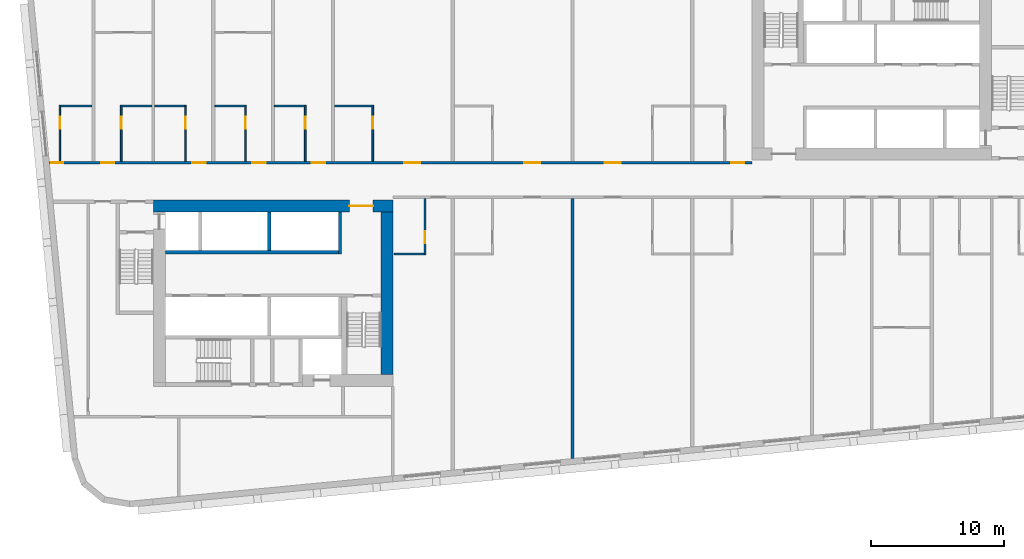
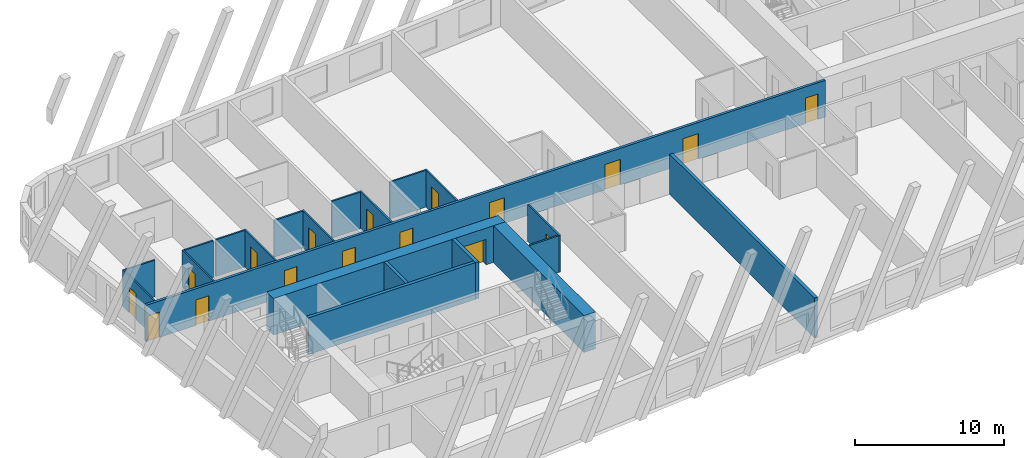
# One storey, part 3 of 13: 21 walls, 17 doors, 17 openings.
"""IFC4 building model written with IfcOpenShell, lengths in metres."""

import ifcopenshell
import ifcopenshell.guid

model = None  # the IFC model being written
_history = None  # IfcOwnerHistory: only IFC2X3 demands one
_inside = {}  # id of a spatial element -> (the spatial element, [elements in it])
_under = {}  # id of a project, library or spatial element -> (it, [spatial elements below it])
_declared = {}  # id of a project -> (the project, [libraries it declares])
_typed = {}  # id of a type object -> (the type object, [elements of that type])
_made_of = {}  # id of a material, layer set ... -> (it, [elements and type objects made of it])


def new_model(schema):
    """Start an empty IFC model of exactly this schema.

    Asked for "IFC4X3", IfcOpenShell would pick the latest addendum, in which some entities
    have other attributes; the version numbers below select the first issue.
    IFC2X3 requires an IfcOwnerHistory on every rooted entity: one is made here for all.
    """
    global model, _history
    if schema == "IFC4X3":
        model = ifcopenshell.file(schema_version=(4, 3, 0, 0))
    else:
        model = ifcopenshell.file(schema=schema)
    _inside.clear()
    _under.clear()
    _declared.clear()
    _typed.clear()
    _made_of.clear()
    _history = None
    if model.schema == "IFC2X3":
        org = make("IfcOrganization", Name="unknown")
        user = make(
            "IfcPersonAndOrganization",
            ThePerson=make("IfcPerson", FamilyName="unknown"),
            TheOrganization=org,
        )
        app = make(
            "IfcApplication",
            ApplicationDeveloper=org,
            Version="unknown",
            ApplicationFullName="unknown",
            ApplicationIdentifier="unknown",
        )
        _history = make(
            "IfcOwnerHistory",
            OwningUser=user,
            OwningApplication=app,
            ChangeAction="ADDED",
            CreationDate=0,
        )
    return model


def make(cls, **values):
    """One entity of the class cls with the attributes given. An attribute that is None is left unset."""
    return model.create_entity(
        cls, **{name: value for name, value in values.items() if value is not None}
    )


def rooted(cls, **values):
    """An entity with a GlobalId (a new one), such as an element, a storey or a relation."""
    return make(cls, GlobalId=ifcopenshell.guid.new(), OwnerHistory=_history, **values)


def si_unit(unit_type, name, prefix=None):
    """IfcSIUnit, for example si_unit("LENGTHUNIT", "METRE", prefix="MILLI")."""
    return make("IfcSIUnit", UnitType=unit_type, Prefix=prefix, Name=name)


def assignment(units):
    """IfcUnitAssignment: the units of a project."""
    return None if units is None else make("IfcUnitAssignment", Units=units)


def point(xyz):
    """IfcCartesianPoint."""
    return None if xyz is None else make("IfcCartesianPoint", Coordinates=xyz)


def direction(xyz):
    """IfcDirection."""
    return None if xyz is None else make("IfcDirection", DirectionRatios=xyz)


def frame(location, z_axis=None, x_axis=None):
    """IfcAxis2Placement3D, a coordinate frame: its origin and axes. An axis left out is left unset."""
    return make(
        "IfcAxis2Placement3D",
        Location=point(location),
        Axis=direction(z_axis),
        RefDirection=direction(x_axis),
    )


def frame_2d(location, x_axis=None):
    """IfcAxis2Placement2D, a coordinate frame in the plane: its origin and x axis."""
    return make(
        "IfcAxis2Placement2D", Location=point(location), RefDirection=direction(x_axis)
    )


def origin():
    """The frame at (0, 0, 0) with its axes left unset."""
    return frame((0.0, 0.0, 0.0))


def place(relative_to, where):
    """IfcLocalPlacement: puts the frame where relative to a parent placement (None: the world)."""
    return make(
        "IfcLocalPlacement", PlacementRelTo=relative_to, RelativePlacement=where
    )


def context(
    kind, dimensions, precision=None, world=None, true_north=None, identifier=None
):
    """IfcGeometricRepresentationContext, for example the 3D "Model" context."""
    return make(
        "IfcGeometricRepresentationContext",
        ContextIdentifier=identifier,
        ContextType=kind,
        CoordinateSpaceDimension=dimensions,
        Precision=precision,
        WorldCoordinateSystem=world,
        TrueNorth=true_north,
    )


def subcontext(parent, identifier, kind, view, scale=None):
    """IfcGeometricRepresentationSubContext, for example "Body" below "Model"."""
    return make(
        "IfcGeometricRepresentationSubContext",
        ContextIdentifier=identifier,
        ContextType=kind,
        ParentContext=parent,
        TargetScale=scale,
        TargetView=view,
    )


def project(units=None, contexts=None):
    """IfcProject with its units and contexts."""
    return rooted(
        "IfcProject",
        Name="project",
        RepresentationContexts=contexts,
        UnitsInContext=assignment(units),
    )


def spatial(cls, under=None, at=None, **own):
    """A site, building, storey or space (cls), placed at a placement, below another one or the project."""
    s = rooted(cls, ObjectPlacement=at, **own)
    if under is not None:
        _under.setdefault(under.id(), (under, []))[1].append(s)
    return s


def profile(cls, at=None, kind="AREA", **sizes):
    """A parametric profile (cls). Its sizes go by their IFC names, for example OverallWidth=200.0."""
    return make(cls, ProfileType=kind, Position=at, **sizes)


def rectangle(**sizes):
    """IfcRectangleProfileDef."""
    return profile("IfcRectangleProfileDef", **sizes)


def extrude(swept, where, along, depth):
    """IfcExtrudedAreaSolid: the profile swept, set in the frame where, extruded along a direction by depth."""
    return make(
        "IfcExtrudedAreaSolid",
        SweptArea=swept,
        Position=where,
        ExtrudedDirection=direction(along),
        Depth=depth,
    )


def shape(context_of_items, identifier, shape_type, items):
    """IfcShapeRepresentation: the items that make up one representation, for example the "Body"."""
    return make(
        "IfcShapeRepresentation",
        ContextOfItems=context_of_items,
        RepresentationIdentifier=identifier,
        RepresentationType=shape_type,
        Items=items,
    )


def material(Name=None, Category=None):
    """IfcMaterial."""
    return make("IfcMaterial", Name=Name, Category=Category)


def layer(
    of_material, thickness, ventilated=None, Name=None, Category=None, Priority=None
):
    """IfcMaterialLayer: one layer of a wall or slab, of a material (None: an air gap)."""
    return make(
        "IfcMaterialLayer",
        Material=of_material,
        LayerThickness=thickness,
        IsVentilated=ventilated,
        Name=Name,
        Category=Category,
        Priority=Priority,
    )


def layer_set(layers, Name=None):
    """IfcMaterialLayerSet."""
    return make("IfcMaterialLayerSet", MaterialLayers=layers, LayerSetName=Name)


def made_of(thing, what):
    """Note that an element or type object is made of a material, layer set ...; save() writes the relation."""
    if what is not None:
        _made_of.setdefault(what.id(), (what, []))[1].append(thing)
    return thing


def type_object(cls, material=None, **own):
    """A type object (cls), such as IfcWallType, which elements share."""
    return made_of(rooted(cls, **own), material)


def element(
    cls,
    number,
    at=None,
    inside=None,
    cuts=None,
    type_object=None,
    material=None,
    context=None,
    identifier="Body",
    shape_type=None,
    held_by="IfcProductDefinitionShape",
    body=None,
    shapes=None,
    **own,
):
    """One element of the class cls, such as IfcWall. Its Tag is "e" and its number.

    at: its placement. inside: the storey or other place that contains it. cuts: it is an
    opening in that element (IfcRelVoidsElement). A single representation is given by context,
    identifier, shape_type and body (its items); several are given by shapes. held_by: the class
    of the entity that holds the representations. save() writes the other relations.
    """
    e = rooted(cls, Tag="e%d" % number, ObjectPlacement=at, **own)
    if body is not None:
        shapes = [shape(context, identifier, shape_type, body)]
    if shapes is not None:
        e.Representation = make(held_by, Representations=shapes)
    if inside is not None:
        _inside.setdefault(inside.id(), (inside, []))[1].append(e)
    if cuts is not None:
        rooted(
            "IfcRelVoidsElement", RelatingBuildingElement=cuts, RelatedOpeningElement=e
        )
    if type_object is not None:
        _typed.setdefault(type_object.id(), (type_object, []))[1].append(e)
    return made_of(e, material)


def fill(opening, filler):
    """IfcRelFillsElement: the door or window that sits in an opening."""
    return rooted(
        "IfcRelFillsElement",
        RelatingOpeningElement=opening,
        RelatedBuildingElement=filler,
    )


def aggregate(whole, parts):
    """IfcRelAggregates: a whole, such as a stair, and the parts it consists of."""
    return rooted("IfcRelAggregates", RelatingObject=whole, RelatedObjects=parts)


def save(model, path):
    """Write the relations noted so far, then the file.

    IfcRelAggregates (storeys below a building ...), IfcRelContainedInSpatialStructure (elements
    in a storey), IfcRelDefinesByType, IfcRelAssociatesMaterial and IfcRelDeclares: one each for
    every whole, place, type object, material and project.
    """
    for whole, parts in _under.values():
        aggregate(whole, parts)
    for where, things in _inside.values():
        rooted(
            "IfcRelContainedInSpatialStructure",
            RelatedElements=things,
            RelatingStructure=where,
        )
    for kind, things in _typed.values():
        rooted("IfcRelDefinesByType", RelatedObjects=things, RelatingType=kind)
    for what, things in _made_of.values():
        rooted("IfcRelAssociatesMaterial", RelatedObjects=things, RelatingMaterial=what)
    for by, libraries in _declared.values():
        rooted("IfcRelDeclares", RelatingContext=by, RelatedDefinitions=libraries)
    model.write(path)


model = new_model("IFC4")

# Units and contexts
model_context = context("Model", 3, precision=1e-05, world=origin(), true_north=direction((0.0, 1.0)))
body_context = subcontext(model_context, "Body", "Model", "MODEL_VIEW")
ifc_project = project(units=[si_unit("LENGTHUNIT", "METRE"), si_unit("AREAUNIT", "SQUARE_METRE"), si_unit("VOLUMEUNIT", "CUBIC_METRE"), si_unit("PLANEANGLEUNIT", "RADIAN"), si_unit("MASSUNIT", "GRAM", prefix="KILO")], contexts=[model_context])

# Site, building, storey
site_placement = place(None, origin())
site = spatial("IfcSite", under=ifc_project, at=site_placement, CompositionType="ELEMENT")
building_placement = place(site_placement, origin())
building = spatial("IfcBuilding", under=site, at=building_placement, Name="Kajstack Hotel Tower", CompositionType="ELEMENT")
storey_placement = place(building_placement, frame((0.0, 0.0, 120.699951171875)))
storey = spatial("IfcBuildingStorey", under=building, at=storey_placement, Name="L26", CompositionType="ELEMENT", Elevation=120.699951171875)

# Wall, opening, door
ifc_material_1 = material(Name="Concrete C60/75", Category="concrete")
ifc_layer_1 = layer(ifc_material_1, 0.89990234375)
ifc_layer_set_1 = layer_set([ifc_layer_1], Name="Core wall 900")
wall_type_1 = type_object("IfcWallType", Name="Core wall 900", PredefinedType="SHEAR", material=ifc_layer_set_1)
wall_1_placement = place(storey_placement, frame((-31.5, -1.949951171875, 0.0), z_axis=(0.0, 0.0, 1.0), x_axis=(1.0, 0.0, 0.0)))
wall_1 = element("IfcWall", 1, at=wall_1_placement, inside=storey, type_object=wall_type_1, Name="Core wall W RN", PredefinedType="SHEAR", context=body_context, shape_type="SweptSolid", body=[
    extrude(rectangle(XDim=18.0, YDim=0.89990234375, at=frame_2d((9.0, 0.0))), origin(), (0.0, 0.0, 1.0), 3.02001953125),
])
opening_1_placement = place(wall_1_placement, frame((14.72509765625, 0.0, 0.0)))
opening_1 = element("IfcOpeningElement", 2, at=opening_1_placement, cuts=wall_1, Name="Opening 26W06", PredefinedType="OPENING", context=body_context, shape_type="SweptSolid", body=[
    extrude(rectangle(XDim=1.800048828125, YDim=2.10009765625, at=frame_2d((0.89990234375, 1.050048828125))), frame((0.0, 0.4599609375, 0.0), z_axis=(0.0, -1.0, 0.0), x_axis=(1.0, 0.0, 0.0)), (0.0, 0.0, 1.0), 0.919921875),
])
ifc_material_2 = material(Name="Glazed steel frame, fire-rated glass", Category="steel")
door_type_1 = type_object("IfcDoorType", Name="Lobby double door 1800", OperationType="DOUBLE_DOOR_DOUBLE_SWING", PredefinedType="DOOR", material=ifc_material_2)
door_1_placement = place(opening_1_placement, origin())
door_1 = element("IfcDoor", 3, at=door_1_placement, inside=storey, type_object=door_type_1, Name="Door 26W06", OperationType="DOUBLE_DOOR_DOUBLE_SWING", OverallHeight=2.10009765625, OverallWidth=1.800048828125, PredefinedType="DOOR", context=body_context, shape_type="SweptSolid", body=[
    extrude(rectangle(XDim=1.800048828125, YDim=2.10009765625, at=frame_2d((0.89990234375, 1.050048828125))), frame((0.0, 0.02490234375, 0.0), z_axis=(0.0, -1.0, 0.0), x_axis=(1.0, 0.0, 0.0)), (0.0, 0.0, 1.0), 0.050048828125),
])
fill(opening_1, door_1)

# Wall
wall_2_placement = place(storey_placement, frame((-13.949951171875, -14.60009765625, 0.0), z_axis=(0.0, 0.0, 1.0), x_axis=(0.0, 1.0, 0.0)))
element("IfcWall", 4, at=wall_2_placement, inside=storey, type_object=wall_type_1, Name="Core wall W RE", PredefinedType="SHEAR", context=body_context, shape_type="SweptSolid", body=[
    extrude(rectangle(XDim=12.2001953125, YDim=0.89990234375, at=frame_2d((6.10009765625, 0.0))), origin(), (0.0, 0.0, 1.0), 3.02001953125),
])

# Wall, openings, doors
ifc_material_3 = material(Name="Gypsum board on steel studs, mineral wool", Category="steel")
ifc_layer_2 = layer(ifc_material_3, 0.199951171875)
ifc_layer_set_2 = layer_set([ifc_layer_2], Name="Corridor wall 200")
wall_type_2 = type_object("IfcWallType", Name="Corridor wall 200", PredefinedType="PARTITIONING", material=ifc_layer_set_2)
wall_3_placement = place(storey_placement, frame((-39.31591796875, 1.300048828125, 0.0), z_axis=(0.0, 0.0, 1.0), x_axis=(1.0, 0.0, 0.0)))
wall_3 = element("IfcWall", 5, at=wall_3_placement, inside=storey, type_object=wall_type_2, Name="G-wall-L26-003", PredefinedType="PARTITIONING", context=body_context, shape_type="SweptSolid", body=[
    extrude(rectangle(XDim=52.81591796875, YDim=0.199951171875, at=frame_2d((26.407958984375, 0.0))), origin(), (0.0, 0.0, 1.0), 3.02001953125),
])
opening_2_placement = place(wall_3_placement, frame((0.14990234375, 0.0, 0.0)))
opening_2 = element("IfcOpeningElement", 6, at=opening_2_placement, cuts=wall_3, Name="Opening 26001", PredefinedType="OPENING", context=body_context, shape_type="SweptSolid", body=[
    extrude(rectangle(XDim=0.89990234375, YDim=2.10009765625, at=frame_2d((0.449951171875, 1.050048828125))), frame((0.0, 0.10986328125, 0.0), z_axis=(0.0, -1.0, 0.0), x_axis=(1.0, 0.0, 0.0)), (0.0, 0.0, 1.0), 0.219970703125),
])
opening_3_placement = place(wall_3_placement, frame((3.89111328125, 0.0, 0.0)))
opening_3 = element("IfcOpeningElement", 7, at=opening_3_placement, cuts=wall_3, Name="Opening 26003", PredefinedType="OPENING", context=body_context, shape_type="SweptSolid", body=[
    extrude(rectangle(XDim=1.0, YDim=2.10009765625, at=frame_2d((0.5, 1.050048828125))), frame((0.0, 0.10986328125, 0.0), z_axis=(0.0, -1.0, 0.0), x_axis=(1.0, 0.0, 0.0)), (0.0, 0.0, 1.0), 0.219970703125),
])
opening_4_placement = place(wall_3_placement, frame((10.740966796875, 0.0, 0.0)))
opening_4 = element("IfcOpeningElement", 8, at=opening_4_placement, cuts=wall_3, Name="Opening 26006", PredefinedType="OPENING", context=body_context, shape_type="SweptSolid", body=[
    extrude(rectangle(XDim=1.0, YDim=2.10009765625, at=frame_2d((0.5, 1.050048828125))), frame((0.0, 0.10986328125, 0.0), z_axis=(0.0, -1.0, 0.0), x_axis=(1.0, 0.0, 0.0)), (0.0, 0.0, 1.0), 0.219970703125),
])
opening_5_placement = place(wall_3_placement, frame((15.26611328125, 0.0, 0.0)))
opening_5 = element("IfcOpeningElement", 9, at=opening_5_placement, cuts=wall_3, Name="Opening 26008", PredefinedType="OPENING", context=body_context, shape_type="SweptSolid", body=[
    extrude(rectangle(XDim=1.0, YDim=2.10009765625, at=frame_2d((0.5, 1.050048828125))), frame((0.0, 0.10986328125, 0.0), z_axis=(0.0, -1.0, 0.0), x_axis=(1.0, 0.0, 0.0)), (0.0, 0.0, 1.0), 0.219970703125),
])
opening_6_placement = place(wall_3_placement, frame((19.740966796875, 0.0, 0.0)))
opening_6 = element("IfcOpeningElement", 10, at=opening_6_placement, cuts=wall_3, Name="Opening 26011", PredefinedType="OPENING", context=body_context, shape_type="SweptSolid", body=[
    extrude(rectangle(XDim=1.0, YDim=2.10009765625, at=frame_2d((0.5, 1.050048828125))), frame((0.0, 0.10986328125, 0.0), z_axis=(0.0, -1.0, 0.0), x_axis=(1.0, 0.0, 0.0)), (0.0, 0.0, 1.0), 0.219970703125),
])
opening_7_placement = place(wall_3_placement, frame((26.677978515625, 0.0, 0.0)))
opening_7 = element("IfcOpeningElement", 11, at=opening_7_placement, cuts=wall_3, Name="Opening 26013", PredefinedType="OPENING", context=body_context, shape_type="SweptSolid", body=[
    extrude(rectangle(XDim=1.199951171875, YDim=2.10009765625, at=frame_2d((0.60009765625, 1.050048828125))), frame((0.0, 0.10986328125, 0.0), z_axis=(0.0, -1.0, 0.0), x_axis=(1.0, 0.0, 0.0)), (0.0, 0.0, 1.0), 0.219970703125),
])
opening_8_placement = place(wall_3_placement, frame((35.677978515625, 0.0, 0.0)))
opening_8 = element("IfcOpeningElement", 12, at=opening_8_placement, cuts=wall_3, Name="Opening 26015", PredefinedType="OPENING", context=body_context, shape_type="SweptSolid", body=[
    extrude(rectangle(XDim=1.199951171875, YDim=2.10009765625, at=frame_2d((0.60009765625, 1.050048828125))), frame((0.0, 0.10986328125, 0.0), z_axis=(0.0, -1.0, 0.0), x_axis=(1.0, 0.0, 0.0)), (0.0, 0.0, 1.0), 0.219970703125),
])
opening_9_placement = place(wall_3_placement, frame((41.75390625, 0.0, 0.0)))
opening_9 = element("IfcOpeningElement", 13, at=opening_9_placement, cuts=wall_3, Name="Opening 26017", PredefinedType="OPENING", context=body_context, shape_type="SweptSolid", body=[
    extrude(rectangle(XDim=1.199951171875, YDim=2.10009765625, at=frame_2d((0.60009765625, 1.050048828125))), frame((0.0, 0.10986328125, 0.0), z_axis=(0.0, -1.0, 0.0), x_axis=(1.0, 0.0, 0.0)), (0.0, 0.0, 1.0), 0.219970703125),
])
opening_10_placement = place(wall_3_placement, frame((51.240966796875, 0.0, 0.0)))
opening_10 = element("IfcOpeningElement", 14, at=opening_10_placement, cuts=wall_3, Name="Opening 26019", PredefinedType="OPENING", context=body_context, shape_type="SweptSolid", body=[
    extrude(rectangle(XDim=1.0, YDim=2.10009765625, at=frame_2d((0.5, 1.050048828125))), frame((0.0, 0.10986328125, 0.0), z_axis=(0.0, -1.0, 0.0), x_axis=(1.0, 0.0, 0.0)), (0.0, 0.0, 1.0), 0.219970703125),
])
ifc_material_4 = material(Name="Oak veneer on timber core, fire-rated leaf", Category="wood")
door_type_2 = type_object("IfcDoorType", Name="Flat entrance door 1000", OperationType="SINGLE_SWING_LEFT", PredefinedType="DOOR", material=ifc_material_4)
door_2_placement = place(opening_3_placement, origin())
door_2 = element("IfcDoor", 15, at=door_2_placement, inside=storey, type_object=door_type_2, Name="G-door-L26-03", OperationType="SINGLE_SWING_LEFT", OverallHeight=2.10009765625, OverallWidth=1.0, PredefinedType="DOOR", context=body_context, shape_type="SweptSolid", body=[
    extrude(rectangle(XDim=1.0, YDim=2.10009765625, at=frame_2d((0.5, 1.050048828125))), frame((0.0, 0.02490234375, 0.0), z_axis=(0.0, -1.0, 0.0), x_axis=(1.0, 0.0, 0.0)), (0.0, 0.0, 1.0), 0.050048828125),
])
fill(opening_3, door_2)
door_3_placement = place(opening_4_placement, origin())
door_3 = element("IfcDoor", 16, at=door_3_placement, inside=storey, type_object=door_type_2, Name="G-door-L26-06", OperationType="SINGLE_SWING_LEFT", OverallHeight=2.10009765625, OverallWidth=1.0, PredefinedType="DOOR", context=body_context, shape_type="SweptSolid", body=[
    extrude(rectangle(XDim=1.0, YDim=2.10009765625, at=frame_2d((0.5, 1.050048828125))), frame((0.0, 0.02490234375, 0.0), z_axis=(0.0, -1.0, 0.0), x_axis=(1.0, 0.0, 0.0)), (0.0, 0.0, 1.0), 0.050048828125),
])
fill(opening_4, door_3)
door_4_placement = place(opening_5_placement, origin())
door_4 = element("IfcDoor", 17, at=door_4_placement, inside=storey, type_object=door_type_2, Name="G-door-L26-08", OperationType="SINGLE_SWING_RIGHT", OverallHeight=2.10009765625, OverallWidth=1.0, PredefinedType="DOOR", context=body_context, shape_type="SweptSolid", body=[
    extrude(rectangle(XDim=1.0, YDim=2.10009765625, at=frame_2d((0.5, 1.050048828125))), frame((0.0, 0.02490234375, 0.0), z_axis=(0.0, -1.0, 0.0), x_axis=(1.0, 0.0, 0.0)), (0.0, 0.0, 1.0), 0.050048828125),
])
fill(opening_5, door_4)
door_5_placement = place(opening_6_placement, origin())
door_5 = element("IfcDoor", 18, at=door_5_placement, inside=storey, type_object=door_type_2, Name="G-door-L26-11", OperationType="SINGLE_SWING_RIGHT", OverallHeight=2.10009765625, OverallWidth=1.0, PredefinedType="DOOR", context=body_context, shape_type="SweptSolid", body=[
    extrude(rectangle(XDim=1.0, YDim=2.10009765625, at=frame_2d((0.5, 1.050048828125))), frame((0.0, 0.02490234375, 0.0), z_axis=(0.0, -1.0, 0.0), x_axis=(1.0, 0.0, 0.0)), (0.0, 0.0, 1.0), 0.050048828125),
])
fill(opening_6, door_5)
door_6_placement = place(opening_10_placement, origin())
door_6 = element("IfcDoor", 19, at=door_6_placement, inside=storey, type_object=door_type_2, Name="G-door-L26-19", OperationType="SINGLE_SWING_RIGHT", OverallHeight=2.10009765625, OverallWidth=1.0, PredefinedType="DOOR", context=body_context, shape_type="SweptSolid", body=[
    extrude(rectangle(XDim=1.0, YDim=2.10009765625, at=frame_2d((0.5, 1.050048828125))), frame((0.0, 0.02490234375, 0.0), z_axis=(0.0, -1.0, 0.0), x_axis=(1.0, 0.0, 0.0)), (0.0, 0.0, 1.0), 0.050048828125),
])
fill(opening_10, door_6)
door_type_3 = type_object("IfcDoorType", Name="Flat entrance door 1200", OperationType="SINGLE_SWING_LEFT", PredefinedType="DOOR", material=ifc_material_4)
door_7_placement = place(opening_7_placement, origin())
door_7 = element("IfcDoor", 20, at=door_7_placement, inside=storey, type_object=door_type_3, Name="G-door-L26-13", OperationType="SINGLE_SWING_RIGHT", OverallHeight=2.10009765625, OverallWidth=1.199951171875, PredefinedType="DOOR", context=body_context, shape_type="SweptSolid", body=[
    extrude(rectangle(XDim=1.199951171875, YDim=2.10009765625, at=frame_2d((0.60009765625, 1.050048828125))), frame((0.0, 0.02490234375, 0.0), z_axis=(0.0, -1.0, 0.0), x_axis=(1.0, 0.0, 0.0)), (0.0, 0.0, 1.0), 0.050048828125),
])
fill(opening_7, door_7)
door_8_placement = place(opening_8_placement, origin())
door_8 = element("IfcDoor", 21, at=door_8_placement, inside=storey, type_object=door_type_3, Name="G-door-L26-15", OperationType="SINGLE_SWING_LEFT", OverallHeight=2.10009765625, OverallWidth=1.199951171875, PredefinedType="DOOR", context=body_context, shape_type="SweptSolid", body=[
    extrude(rectangle(XDim=1.199951171875, YDim=2.10009765625, at=frame_2d((0.60009765625, 1.050048828125))), frame((0.0, 0.02490234375, 0.0), z_axis=(0.0, -1.0, 0.0), x_axis=(1.0, 0.0, 0.0)), (0.0, 0.0, 1.0), 0.050048828125),
])
fill(opening_8, door_8)
door_9_placement = place(opening_9_placement, origin())
door_9 = element("IfcDoor", 22, at=door_9_placement, inside=storey, type_object=door_type_3, Name="G-door-L26-17", OperationType="SINGLE_SWING_RIGHT", OverallHeight=2.10009765625, OverallWidth=1.199951171875, PredefinedType="DOOR", context=body_context, shape_type="SweptSolid", body=[
    extrude(rectangle(XDim=1.199951171875, YDim=2.10009765625, at=frame_2d((0.60009765625, 1.050048828125))), frame((0.0, 0.02490234375, 0.0), z_axis=(0.0, -1.0, 0.0), x_axis=(1.0, 0.0, 0.0)), (0.0, 0.0, 1.0), 0.050048828125),
])
fill(opening_9, door_9)
ifc_material_5 = material(Name="Painted timber door leaf", Category="wood")
door_type_4 = type_object("IfcDoorType", Name="Room door 900", OperationType="SINGLE_SWING_LEFT", PredefinedType="DOOR", material=ifc_material_5)
door_10_placement = place(opening_2_placement, origin())
door_10 = element("IfcDoor", 23, at=door_10_placement, inside=storey, type_object=door_type_4, Name="G-door-L26-01", OperationType="SINGLE_SWING_LEFT", OverallHeight=2.10009765625, OverallWidth=0.89990234375, PredefinedType="DOOR", context=body_context, shape_type="SweptSolid", body=[
    extrude(rectangle(XDim=0.89990234375, YDim=2.10009765625, at=frame_2d((0.449951171875, 1.050048828125))), frame((0.0, 0.02490234375, 0.0), z_axis=(0.0, -1.0, 0.0), x_axis=(1.0, 0.0, 0.0)), (0.0, 0.0, 1.0), 0.050048828125),
])
fill(opening_2, door_10)

# Wall, opening, door
ifc_material_6 = material(Name="Gypsum board and tiled backer on steel studs", Category="steel")
ifc_layer_3 = layer(ifc_material_6, 0.125)
ifc_layer_set_3 = layer_set([ifc_layer_3], Name="En-suite wall 125")
wall_type_3 = type_object("IfcWallType", Name="En-suite wall 125", PredefinedType="PARTITIONING", material=ifc_layer_set_3)
wall_4_placement = place(storey_placement, frame((-38.51904296875, 1.39990234375, 0.0), z_axis=(0.0, 0.0, 1.0), x_axis=(0.0, 1.0, 0.0)))
wall_4 = element("IfcWall", 24, at=wall_4_placement, inside=storey, type_object=wall_type_3, Name="G-wall-L26-004", PredefinedType="PARTITIONING", context=body_context, shape_type="SweptSolid", body=[
    extrude(rectangle(XDim=4.22509765625, YDim=0.125, at=frame_2d((2.112548828125, 0.0))), origin(), (0.0, 0.0, 1.0), 3.02001953125),
])
opening_11_placement = place(wall_4_placement, frame((2.449951171875, 0.0, 0.0)))
opening_11 = element("IfcOpeningElement", 25, at=opening_11_placement, cuts=wall_4, Name="Opening 26002", PredefinedType="OPENING", context=body_context, shape_type="SweptSolid", body=[
    extrude(rectangle(XDim=0.89990234375, YDim=2.10009765625, at=frame_2d((0.449951171875, 1.050048828125))), frame((0.0, 0.072509765625, 0.0), z_axis=(0.0, -1.0, 0.0), x_axis=(1.0, 0.0, 0.0)), (0.0, 0.0, 1.0), 0.14501953125),
])
door_11_placement = place(opening_11_placement, origin())
door_11 = element("IfcDoor", 26, at=door_11_placement, inside=storey, type_object=door_type_4, Name="G-door-L26-02", OperationType="SINGLE_SWING_RIGHT", OverallHeight=2.10009765625, OverallWidth=0.89990234375, PredefinedType="DOOR", context=body_context, shape_type="SweptSolid", body=[
    extrude(rectangle(XDim=0.89990234375, YDim=2.10009765625, at=frame_2d((0.449951171875, 1.050048828125))), frame((0.0, 0.02490234375, 0.0), z_axis=(0.0, -1.0, 0.0), x_axis=(1.0, 0.0, 0.0)), (0.0, 0.0, 1.0), 0.050048828125),
])
fill(opening_11, door_11)

# Wall
wall_5_placement = place(storey_placement, frame((-38.45703125, 5.56201171875, 0.0), z_axis=(0.0, 0.0, 1.0), x_axis=(1.0, 0.0, 0.0)))
element("IfcWall", 27, at=wall_5_placement, inside=storey, type_object=wall_type_3, Name="G-wall-L26-005", PredefinedType="PARTITIONING", context=body_context, shape_type="SweptSolid", body=[
    extrude(rectangle(XDim=2.33203125, YDim=0.125, at=frame_2d((1.166015625, 0.0))), origin(), (0.0, 0.0, 1.0), 3.02001953125),
])

# Wall, opening, door
wall_6_placement = place(storey_placement, frame((-33.9130859375, 1.39990234375, 0.0), z_axis=(0.0, 0.0, 1.0), x_axis=(0.0, 1.0, 0.0)))
wall_6 = element("IfcWall", 28, at=wall_6_placement, inside=storey, type_object=wall_type_3, Name="G-wall-L26-007", PredefinedType="PARTITIONING", context=body_context, shape_type="SweptSolid", body=[
    extrude(rectangle(XDim=4.22509765625, YDim=0.125, at=frame_2d((2.112548828125, 0.0))), origin(), (0.0, 0.0, 1.0), 3.02001953125),
])
opening_12_placement = place(wall_6_placement, frame((2.449951171875, 0.0, 0.0)))
opening_12 = element("IfcOpeningElement", 29, at=opening_12_placement, cuts=wall_6, Name="Opening 26004", PredefinedType="OPENING", context=body_context, shape_type="SweptSolid", body=[
    extrude(rectangle(XDim=0.89990234375, YDim=2.10009765625, at=frame_2d((0.449951171875, 1.050048828125))), frame((0.0, 0.072509765625, 0.0), z_axis=(0.0, -1.0, 0.0), x_axis=(1.0, 0.0, 0.0)), (0.0, 0.0, 1.0), 0.14501953125),
])
door_12_placement = place(opening_12_placement, origin())
door_12 = element("IfcDoor", 30, at=door_12_placement, inside=storey, type_object=door_type_4, Name="G-door-L26-04", OperationType="SINGLE_SWING_RIGHT", OverallHeight=2.10009765625, OverallWidth=0.89990234375, PredefinedType="DOOR", context=body_context, shape_type="SweptSolid", body=[
    extrude(rectangle(XDim=0.89990234375, YDim=2.10009765625, at=frame_2d((0.449951171875, 1.050048828125))), frame((0.0, 0.02490234375, 0.0), z_axis=(0.0, -1.0, 0.0), x_axis=(1.0, 0.0, 0.0)), (0.0, 0.0, 1.0), 0.050048828125),
])
fill(opening_12, door_12)

# Wall
wall_7_placement = place(storey_placement, frame((-33.85009765625, 5.56201171875, 0.0), z_axis=(0.0, 0.0, 1.0), x_axis=(1.0, 0.0, 0.0)))
element("IfcWall", 31, at=wall_7_placement, inside=storey, type_object=wall_type_3, Name="G-wall-L26-008", PredefinedType="PARTITIONING", context=body_context, shape_type="SweptSolid", body=[
    extrude(rectangle(XDim=2.25, YDim=0.125, at=frame_2d((1.125, 0.0))), origin(), (0.0, 0.0, 1.0), 3.02001953125),
])

# Wall, opening, door
wall_8_placement = place(storey_placement, frame((-29.0869140625, 1.39990234375, 0.0), z_axis=(0.0, 0.0, 1.0), x_axis=(0.0, 1.0, 0.0)))
wall_8 = element("IfcWall", 32, at=wall_8_placement, inside=storey, type_object=wall_type_3, Name="G-wall-L26-010", PredefinedType="PARTITIONING", context=body_context, shape_type="SweptSolid", body=[
    extrude(rectangle(XDim=4.22509765625, YDim=0.125, at=frame_2d((2.112548828125, 0.0))), origin(), (0.0, 0.0, 1.0), 3.02001953125),
])
opening_13_placement = place(wall_8_placement, frame((2.449951171875, 0.0, 0.0)))
opening_13 = element("IfcOpeningElement", 33, at=opening_13_placement, cuts=wall_8, Name="Opening 26007", PredefinedType="OPENING", context=body_context, shape_type="SweptSolid", body=[
    extrude(rectangle(XDim=0.89990234375, YDim=2.10009765625, at=frame_2d((0.449951171875, 1.050048828125))), frame((0.0, 0.072509765625, 0.0), z_axis=(0.0, -1.0, 0.0), x_axis=(1.0, 0.0, 0.0)), (0.0, 0.0, 1.0), 0.14501953125),
])
door_13_placement = place(opening_13_placement, origin())
door_13 = element("IfcDoor", 34, at=door_13_placement, inside=storey, type_object=door_type_4, Name="G-door-L26-07", OperationType="SINGLE_SWING_RIGHT", OverallHeight=2.10009765625, OverallWidth=0.89990234375, PredefinedType="DOOR", context=body_context, shape_type="SweptSolid", body=[
    extrude(rectangle(XDim=0.89990234375, YDim=2.10009765625, at=frame_2d((0.449951171875, 1.050048828125))), frame((0.0, 0.02490234375, 0.0), z_axis=(0.0, -1.0, 0.0), x_axis=(1.0, 0.0, 0.0)), (0.0, 0.0, 1.0), 0.050048828125),
])
fill(opening_13, door_13)

# Wall
wall_9_placement = place(storey_placement, frame((-31.39990234375, 5.56201171875, 0.0), z_axis=(0.0, 0.0, 1.0), x_axis=(1.0, 0.0, 0.0)))
element("IfcWall", 35, at=wall_9_placement, inside=storey, type_object=wall_type_3, Name="G-wall-L26-011", PredefinedType="PARTITIONING", context=body_context, shape_type="SweptSolid", body=[
    extrude(rectangle(XDim=2.25, YDim=0.125, at=frame_2d((1.125, 0.0))), origin(), (0.0, 0.0, 1.0), 3.02001953125),
])

# Wall, opening, door
wall_10_placement = place(storey_placement, frame((-24.56201171875, 1.39990234375, 0.0), z_axis=(0.0, 0.0, 1.0), x_axis=(0.0, 1.0, 0.0)))
wall_10 = element("IfcWall", 36, at=wall_10_placement, inside=storey, type_object=wall_type_3, Name="G-wall-L26-013", PredefinedType="PARTITIONING", context=body_context, shape_type="SweptSolid", body=[
    extrude(rectangle(XDim=4.22509765625, YDim=0.125, at=frame_2d((2.112548828125, 0.0))), origin(), (0.0, 0.0, 1.0), 3.02001953125),
])
opening_14_placement = place(wall_10_placement, frame((2.449951171875, 0.0, 0.0)))
opening_14 = element("IfcOpeningElement", 37, at=opening_14_placement, cuts=wall_10, Name="Opening 26009", PredefinedType="OPENING", context=body_context, shape_type="SweptSolid", body=[
    extrude(rectangle(XDim=0.89990234375, YDim=2.10009765625, at=frame_2d((0.449951171875, 1.050048828125))), frame((0.0, 0.072509765625, 0.0), z_axis=(0.0, -1.0, 0.0), x_axis=(1.0, 0.0, 0.0)), (0.0, 0.0, 1.0), 0.14501953125),
])
door_14_placement = place(opening_14_placement, origin())
door_14 = element("IfcDoor", 38, at=door_14_placement, inside=storey, type_object=door_type_4, Name="G-door-L26-09", OperationType="SINGLE_SWING_LEFT", OverallHeight=2.10009765625, OverallWidth=0.89990234375, PredefinedType="DOOR", context=body_context, shape_type="SweptSolid", body=[
    extrude(rectangle(XDim=0.89990234375, YDim=2.10009765625, at=frame_2d((0.449951171875, 1.050048828125))), frame((0.0, 0.02490234375, 0.0), z_axis=(0.0, -1.0, 0.0), x_axis=(1.0, 0.0, 0.0)), (0.0, 0.0, 1.0), 0.050048828125),
])
fill(opening_14, door_14)

# Wall
wall_11_placement = place(storey_placement, frame((-26.875, 5.56201171875, 0.0), z_axis=(0.0, 0.0, 1.0), x_axis=(1.0, 0.0, 0.0)))
element("IfcWall", 39, at=wall_11_placement, inside=storey, type_object=wall_type_3, Name="G-wall-L26-014", PredefinedType="PARTITIONING", context=body_context, shape_type="SweptSolid", body=[
    extrude(rectangle(XDim=2.25, YDim=0.125, at=frame_2d((1.125, 0.0))), origin(), (0.0, 0.0, 1.0), 3.02001953125),
])

# Wall, opening, door
wall_12_placement = place(storey_placement, frame((-20.0869140625, 1.39990234375, 0.0), z_axis=(0.0, 0.0, 1.0), x_axis=(0.0, 1.0, 0.0)))
wall_12 = element("IfcWall", 40, at=wall_12_placement, inside=storey, type_object=wall_type_3, Name="G-wall-L26-016", PredefinedType="PARTITIONING", context=body_context, shape_type="SweptSolid", body=[
    extrude(rectangle(XDim=4.22509765625, YDim=0.125, at=frame_2d((2.112548828125, 0.0))), origin(), (0.0, 0.0, 1.0), 3.02001953125),
])
opening_15_placement = place(wall_12_placement, frame((2.449951171875, 0.0, 0.0)))
opening_15 = element("IfcOpeningElement", 41, at=opening_15_placement, cuts=wall_12, Name="Opening 26012", PredefinedType="OPENING", context=body_context, shape_type="SweptSolid", body=[
    extrude(rectangle(XDim=0.89990234375, YDim=2.10009765625, at=frame_2d((0.449951171875, 1.050048828125))), frame((0.0, 0.072509765625, 0.0), z_axis=(0.0, -1.0, 0.0), x_axis=(1.0, 0.0, 0.0)), (0.0, 0.0, 1.0), 0.14501953125),
])
door_15_placement = place(opening_15_placement, origin())
door_15 = element("IfcDoor", 42, at=door_15_placement, inside=storey, type_object=door_type_4, Name="G-door-L26-12", OperationType="SINGLE_SWING_LEFT", OverallHeight=2.10009765625, OverallWidth=0.89990234375, PredefinedType="DOOR", context=body_context, shape_type="SweptSolid", body=[
    extrude(rectangle(XDim=0.89990234375, YDim=2.10009765625, at=frame_2d((0.449951171875, 1.050048828125))), frame((0.0, 0.02490234375, 0.0), z_axis=(0.0, -1.0, 0.0), x_axis=(1.0, 0.0, 0.0)), (0.0, 0.0, 1.0), 0.050048828125),
])
fill(opening_15, door_15)

# Wall
wall_13_placement = place(storey_placement, frame((-22.39990234375, 5.56201171875, 0.0), z_axis=(0.0, 0.0, 1.0), x_axis=(1.0, 0.0, 0.0)))
element("IfcWall", 43, at=wall_13_placement, inside=storey, type_object=wall_type_3, Name="G-wall-L26-017", PredefinedType="PARTITIONING", context=body_context, shape_type="SweptSolid", body=[
    extrude(rectangle(XDim=2.25, YDim=0.125, at=frame_2d((1.125, 0.0))), origin(), (0.0, 0.0, 1.0), 3.02001953125),
])

# Wall, opening, door
wall_14_placement = place(storey_placement, frame((-15.011962890625, 1.39990234375, 0.0), z_axis=(0.0, 0.0, 1.0), x_axis=(0.0, 1.0, 0.0)))
wall_14 = element("IfcWall", 44, at=wall_14_placement, inside=storey, type_object=wall_type_3, Name="G-wall-L26-018", PredefinedType="PARTITIONING", context=body_context, shape_type="SweptSolid", body=[
    extrude(rectangle(XDim=4.22509765625, YDim=0.125, at=frame_2d((2.112548828125, 0.0))), origin(), (0.0, 0.0, 1.0), 3.02001953125),
])
opening_16_placement = place(wall_14_placement, frame((2.449951171875, 0.0, 0.0)))
opening_16 = element("IfcOpeningElement", 45, at=opening_16_placement, cuts=wall_14, Name="Opening 26014", PredefinedType="OPENING", context=body_context, shape_type="SweptSolid", body=[
    extrude(rectangle(XDim=0.89990234375, YDim=2.10009765625, at=frame_2d((0.449951171875, 1.050048828125))), frame((0.0, 0.072509765625, 0.0), z_axis=(0.0, -1.0, 0.0), x_axis=(1.0, 0.0, 0.0)), (0.0, 0.0, 1.0), 0.14501953125),
])
door_16_placement = place(opening_16_placement, origin())
door_16 = element("IfcDoor", 46, at=door_16_placement, inside=storey, type_object=door_type_4, Name="G-door-L26-14", OperationType="SINGLE_SWING_LEFT", OverallHeight=2.10009765625, OverallWidth=0.89990234375, PredefinedType="DOOR", context=body_context, shape_type="SweptSolid", body=[
    extrude(rectangle(XDim=0.89990234375, YDim=2.10009765625, at=frame_2d((0.449951171875, 1.050048828125))), frame((0.0, 0.02490234375, 0.0), z_axis=(0.0, -1.0, 0.0), x_axis=(1.0, 0.0, 0.0)), (0.0, 0.0, 1.0), 0.050048828125),
])
fill(opening_16, door_16)

# Wall
wall_15_placement = place(storey_placement, frame((-17.875, 5.56201171875, 0.0), z_axis=(0.0, 0.0, 1.0), x_axis=(1.0, 0.0, 0.0)))
element("IfcWall", 47, at=wall_15_placement, inside=storey, type_object=wall_type_3, Name="G-wall-L26-019", PredefinedType="PARTITIONING", context=body_context, shape_type="SweptSolid", body=[
    extrude(rectangle(XDim=2.800048828125, YDim=0.125, at=frame_2d((1.39990234375, 0.0))), origin(), (0.0, 0.0, 1.0), 3.02001953125),
])

# Wall, opening, door
wall_16_placement = place(storey_placement, frame((-11.087890625, -5.625, 0.0), z_axis=(0.0, 0.0, 1.0), x_axis=(0.0, 1.0, 0.0)))
wall_16 = element("IfcWall", 48, at=wall_16_placement, inside=storey, type_object=wall_type_3, Name="G-wall-L26-027", PredefinedType="PARTITIONING", context=body_context, shape_type="SweptSolid", body=[
    extrude(rectangle(XDim=4.22509765625, YDim=0.125, at=frame_2d((2.112548828125, 0.0))), origin(), (0.0, 0.0, 1.0), 3.02001953125),
])
opening_17_placement = place(wall_16_placement, frame((0.875, 0.0, 0.0)))
opening_17 = element("IfcOpeningElement", 49, at=opening_17_placement, cuts=wall_16, Name="Opening 26022", PredefinedType="OPENING", context=body_context, shape_type="SweptSolid", body=[
    extrude(rectangle(XDim=0.89990234375, YDim=2.10009765625, at=frame_2d((0.449951171875, 1.050048828125))), frame((0.0, 0.072509765625, 0.0), z_axis=(0.0, -1.0, 0.0), x_axis=(1.0, 0.0, 0.0)), (0.0, 0.0, 1.0), 0.14501953125),
])
door_17_placement = place(opening_17_placement, origin())
door_17 = element("IfcDoor", 50, at=door_17_placement, inside=storey, type_object=door_type_4, Name="G-door-L26-22", OperationType="SINGLE_SWING_LEFT", OverallHeight=2.10009765625, OverallWidth=0.89990234375, PredefinedType="DOOR", context=body_context, shape_type="SweptSolid", body=[
    extrude(rectangle(XDim=0.89990234375, YDim=2.10009765625, at=frame_2d((0.449951171875, 1.050048828125))), frame((0.0, 0.02490234375, 0.0), z_axis=(0.0, -1.0, 0.0), x_axis=(1.0, 0.0, 0.0)), (0.0, 0.0, 1.0), 0.050048828125),
])
fill(opening_17, door_17)

# Walls
wall_17_placement = place(storey_placement, frame((-13.39990234375, -5.56201171875, 0.0), z_axis=(0.0, 0.0, 1.0), x_axis=(1.0, 0.0, 0.0)))
element("IfcWall", 51, at=wall_17_placement, inside=storey, type_object=wall_type_3, Name="G-wall-L26-028", PredefinedType="PARTITIONING", context=body_context, shape_type="SweptSolid", body=[
    extrude(rectangle(XDim=2.25, YDim=0.125, at=frame_2d((1.125, 0.0))), origin(), (0.0, 0.0, 1.0), 3.02001953125),
])
ifc_material_7 = material(Name="Concrete C50/60", Category="concrete")
ifc_layer_4 = layer(ifc_material_7, 0.300048828125)
ifc_layer_set_4 = layer_set([ifc_layer_4], Name="Hoistway divider wall 300")
wall_type_4 = type_object("IfcWallType", Name="Hoistway divider wall 300", PredefinedType="SHEAR", material=ifc_layer_set_4)
wall_18_placement = place(storey_placement, frame((-22.77490234375, -5.300048828125, 0.0), z_axis=(0.0, 0.0, 1.0), x_axis=(0.0, 1.0, 0.0)))
element("IfcWall", 52, at=wall_18_placement, inside=storey, type_object=wall_type_4, Name="Core wall W AP2", PredefinedType="SHEAR", context=body_context, shape_type="SweptSolid", body=[
    extrude(rectangle(XDim=2.900146484375, YDim=0.25, at=frame_2d((1.4501953125, 0.0))), origin(), (0.0, 0.0, 1.0), 3.02001953125),
])
ifc_material_8 = material(Name="Concrete C55/67", Category="concrete")
ifc_layer_5 = layer(ifc_material_8, 0.25)
ifc_layer_set_5 = layer_set([ifc_layer_5], Name="RC cross wall 250 C55/67")
wall_type_5 = type_object("IfcWallType", Name="RC cross wall 250 C55/67", PredefinedType="SHEAR", material=ifc_layer_set_5)
wall_19_placement = place(storey_placement, frame((0.0, -20.910400390625, 0.0), z_axis=(0.0, 0.0, 1.0), x_axis=(0.0, 1.0, 0.0)))
element("IfcWall", 53, at=wall_19_placement, inside=storey, type_object=wall_type_5, Name="S-wall-L26-06", PredefinedType="SHEAR", context=body_context, shape_type="SweptSolid", body=[
    extrude(rectangle(XDim=19.510498046875, YDim=0.25, at=frame_2d((9.75537109375, 0.0))), origin(), (0.0, 0.0, 1.0), 3.300048828125),
])
ifc_layer_6 = layer(ifc_material_7, 0.25)
ifc_layer_set_6 = layer_set([ifc_layer_6], Name="Shaft wall 250")
wall_type_6 = type_object("IfcWallType", Name="Shaft wall 250", PredefinedType="SHEAR", material=ifc_layer_set_6)
wall_20_placement = place(storey_placement, frame((-30.60009765625, -5.425048828125, 0.0), z_axis=(0.0, 0.0, 1.0), x_axis=(1.0, 0.0, 0.0)))
element("IfcWall", 54, at=wall_20_placement, inside=storey, type_object=wall_type_6, Name="Core wall W FA", PredefinedType="SHEAR", context=body_context, shape_type="SweptSolid", body=[
    extrude(rectangle(XDim=13.0, YDim=0.25, at=frame_2d((6.5, 0.0))), origin(), (0.0, 0.0, 1.0), 3.02001953125),
])
wall_21_placement = place(storey_placement, frame((-17.47509765625, -5.550048828125, 0.0), z_axis=(0.0, 0.0, 1.0), x_axis=(0.0, 1.0, 0.0)))
element("IfcWall", 55, at=wall_21_placement, inside=storey, type_object=wall_type_6, Name="Core wall W AE", PredefinedType="SHEAR", context=body_context, shape_type="SweptSolid", body=[
    extrude(rectangle(XDim=3.150146484375, YDim=0.25, at=frame_2d((1.5751953125, 0.0))), origin(), (0.0, 0.0, 1.0), 3.02001953125),
])

save(model, "model.ifc")
